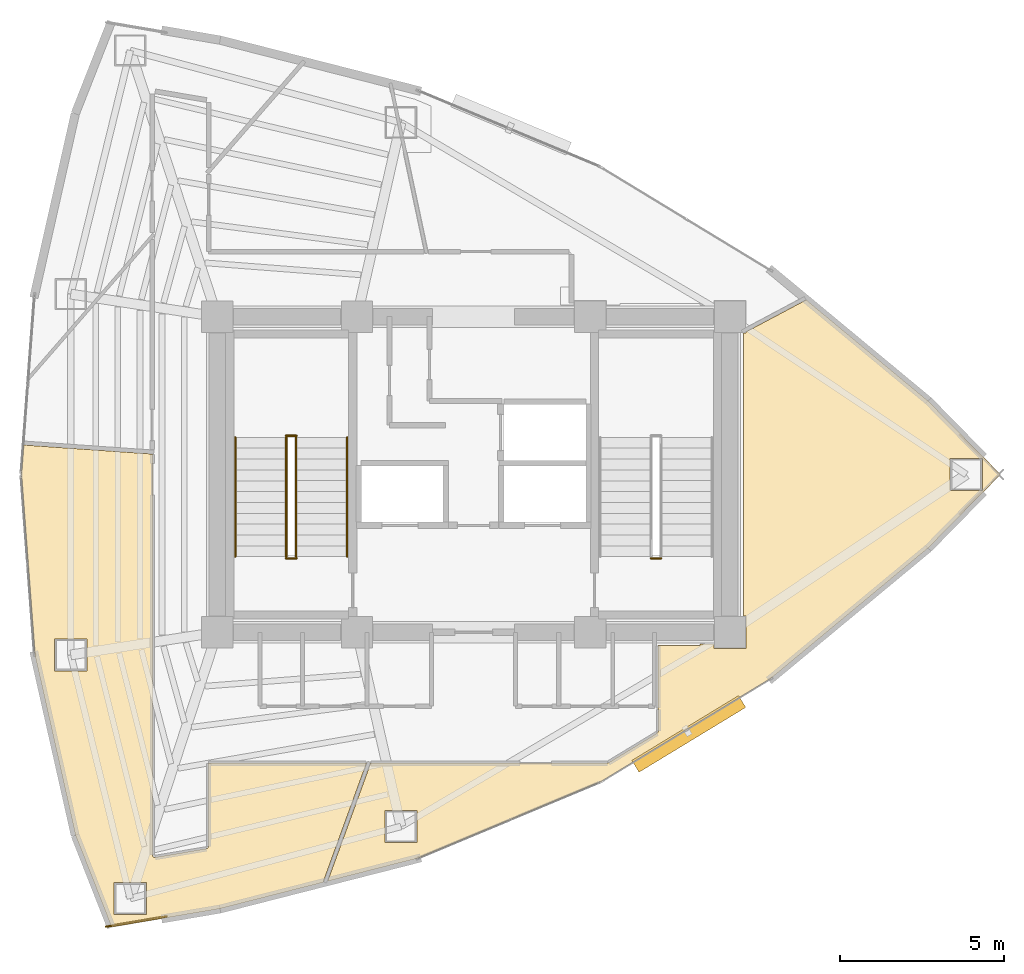
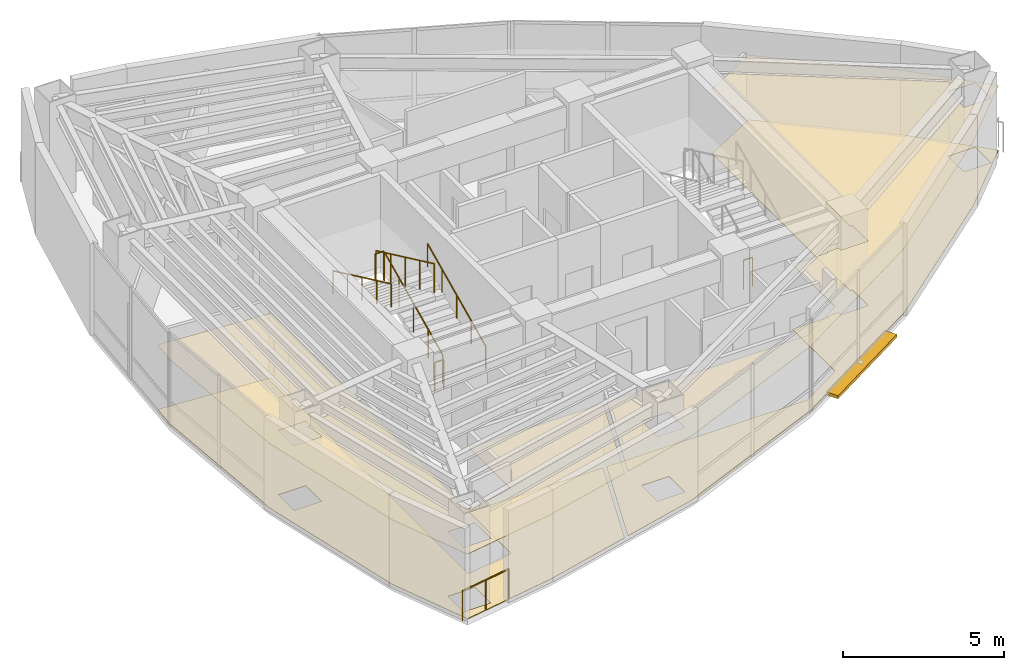
# One storey, part 14 of 15: 8 railings, 4 coverings, 1 shading device.
"""IFC4 building model written with IfcOpenShell, lengths in metres."""

from ifc_helpers import new_model, si_unit, direction, frame, origin, origin_2d, place, context, subcontext, project, spatial, polyline, rectangle, circle, outline, extrude, material, layer, layer_set, type_object, element, save


model = new_model("IFC4")

# Units and contexts
model_context = context("Model", 3, precision=1e-05, world=origin(), true_north=direction((0.0, 1.0)))
body_context = subcontext(model_context, "Body", "Model", "MODEL_VIEW")
ifc_project = project(units=[si_unit("LENGTHUNIT", "METRE"), si_unit("AREAUNIT", "SQUARE_METRE"), si_unit("VOLUMEUNIT", "CUBIC_METRE"), si_unit("PLANEANGLEUNIT", "RADIAN"), si_unit("MASSUNIT", "GRAM", prefix="KILO")], contexts=[model_context])

# Site, building, storey
site_placement = place(None, origin())
site = spatial("IfcSite", under=ifc_project, at=site_placement, CompositionType="ELEMENT")
building_placement = place(site_placement, origin())
building = spatial("IfcBuilding", under=site, at=building_placement, Name="Menara Vayukalpa", CompositionType="ELEMENT")
storey_placement = place(building_placement, frame((0.0, 0.0, 223.260009765625)))
storey = spatial("IfcBuildingStorey", under=building, at=storey_placement, Name="L56", CompositionType="ELEMENT", Elevation=223.260009765625)

# Coverings
ifc_material_1 = material(Name="Mineral Fibre Acoustic Ceiling Tile", Category="masonry")
ifc_layer_1 = layer(ifc_material_1, 0.02490234375)
ifc_layer_set_1 = layer_set([ifc_layer_1], Name="Mineral Fibre Acoustic Ceiling Tile")
covering_type_1 = type_object("IfcCoveringType", Name="COV-CLG1", PredefinedType="CEILING", material=ifc_layer_set_1)
covering_1_placement = place(storey_placement, frame((0.0, 0.0, 2.449951171875)))
element("IfcCovering", 1, at=covering_1_placement, inside=storey, type_object=covering_type_1, Name="L56 Executive Boardroom Acoustic Ceiling", PredefinedType="CEILING", context=body_context, shape_type="SweptSolid", body=[
    extrude(outline(polyline([(14.59326171875, 8.231201171875), (14.59228515625, 8.231201171875), (14.59130859375, 8.2314453125), (14.59033203125, 8.2314453125), (14.58935546875, 8.231689453125), (14.58837890625, 8.232177734375), (14.587646484375, 8.232666015625), (14.5869140625, 8.233154296875), (14.5859375, 8.233642578125), (14.585205078125, 8.234375), (14.584716796875, 8.235107421875), (14.583984375, 8.23583984375), (14.58349609375, 8.23681640625), (14.583251953125, 8.237548828125), (13.489013671875, 11.023681640625), (13.48876953125, 11.0244140625), (13.488525390625, 11.025146484375), (12.25390625, 16.51171875), (12.25390625, 16.51318359375), (11.84228515625, 21.999267578125), (11.84228515625, 22.0), (11.84228515625, 22.000732421875), (11.90869140625, 22.88720703125), (11.908935546875, 22.88818359375), (11.9091796875, 22.88916015625), (11.909423828125, 22.89013671875), (11.909912109375, 22.89111328125), (11.910400390625, 22.891845703125), (11.910888671875, 22.892578125), (11.91162109375, 22.893310546875), (11.912353515625, 22.89404296875), (11.9130859375, 22.894775390625), (11.913818359375, 22.895263671875), (11.914794921875, 22.8955078125), (11.91552734375, 22.89599609375), (11.91650390625, 22.896240234375), (11.91748046875, 22.896484375), (11.91845703125, 22.896484375), (11.91943359375, 22.896484375), (15.82080078125, 22.623779296875), (15.82177734375, 22.62353515625), (15.82275390625, 22.623291015625), (15.823486328125, 22.623046875), (15.824462890625, 22.62255859375), (15.825439453125, 22.6220703125), (15.826171875, 22.62158203125), (15.826904296875, 22.620849609375), (15.82763671875, 22.6201171875), (15.828369140625, 22.619384765625), (15.828857421875, 22.618408203125), (15.8291015625, 22.61767578125), (15.82958984375, 22.61669921875), (15.829833984375, 22.61572265625), (15.829833984375, 22.61474609375), (15.830078125, 22.61376953125), (15.830078125, 10.421142578125), (15.830322265625, 10.414306640625), (15.831298828125, 10.407470703125), (15.8330078125, 10.40087890625), (15.835205078125, 10.39453125), (15.837890625, 10.388427734375), (15.841552734375, 10.382568359375), (15.845458984375, 10.376953125), (15.849853515625, 10.3720703125), (15.854736328125, 10.367431640625), (15.860107421875, 10.36328125), (15.865966796875, 10.35986328125), (15.8720703125, 10.356689453125), (15.87841796875, 10.354248046875), (15.884765625, 10.3525390625), (15.8916015625, 10.351318359375), (15.898193359375, 10.350830078125), (15.905029296875, 10.35107421875), (15.912109375, 10.351806640625), (17.471435546875, 10.61669921875), (17.478515625, 10.6181640625), (17.485107421875, 10.62060546875), (17.49169921875, 10.623291015625), (17.497802734375, 10.626708984375), (17.50341796875, 10.630859375), (17.508544921875, 10.635498046875), (17.513427734375, 10.640625), (17.517822265625, 10.646240234375), (17.521484375, 10.652099609375), (17.5244140625, 10.658447265625), (17.52685546875, 10.664794921875), (17.528564453125, 10.671875), (17.529541015625, 10.6787109375), (17.530029296875, 10.685791015625), (17.530029296875, 13.2099609375), (17.530029296875, 13.2109375), (17.5302734375, 13.2119140625), (17.530517578125, 13.212890625), (17.53076171875, 13.2138671875), (17.53125, 13.214599609375), (17.53173828125, 13.215576171875), (17.5322265625, 13.21630859375), (17.532958984375, 13.217041015625), (17.53369140625, 13.2177734375), (17.534423828125, 13.21826171875), (17.535400390625, 13.21875), (17.5361328125, 13.21923828125), (17.537109375, 13.219482421875), (17.5380859375, 13.2197265625), (17.5390625, 13.219970703125), (17.5400390625, 13.219970703125), (22.326171875, 13.219970703125), (22.3271484375, 13.219970703125), (22.328125, 13.2197265625), (22.3291015625, 13.219482421875), (22.329833984375, 13.21923828125), (22.330810546875, 13.218994140625), (22.33154296875, 13.218505859375), (22.33251953125, 13.2177734375), (22.3330078125, 13.21728515625), (22.333740234375, 13.216552734375), (22.33447265625, 13.2158203125), (22.3349609375, 13.21484375), (22.335205078125, 13.214111328125), (22.335693359375, 13.213134765625), (22.3359375, 13.212158203125), (22.336181640625, 13.211181640625), (22.336181640625, 13.210205078125), (22.336181640625, 13.20947265625), (22.336181640625, 13.20849609375), (22.3359375, 13.20751953125), (22.335693359375, 13.20654296875), (21.025146484375, 9.60595703125), (21.023193359375, 9.60009765625), (21.0224609375, 9.5966796875), (21.022216796875, 9.595703125), (21.02197265625, 9.5947265625), (21.021484375, 9.59375), (21.02099609375, 9.593017578125), (21.020263671875, 9.592041015625), (21.01953125, 9.59130859375), (21.018798828125, 9.5908203125), (21.01806640625, 9.590087890625), (21.01708984375, 9.589599609375), (21.01611328125, 9.589111328125), (21.01513671875, 9.5888671875), (17.8798828125, 8.789306640625), (17.879150390625, 8.7890625), (14.59423828125, 8.2314453125), (14.59326171875, 8.231201171875)]), holes=[polyline([(14.664794921875, 9.58740234375), (14.664794921875, 8.607421875), (15.644775390625, 8.607421875), (15.644775390625, 9.58740234375), (14.664794921875, 9.58740234375)]), polyline([(13.833984375, 17.000732421875), (12.85400390625, 17.000732421875), (12.85400390625, 16.020751953125), (13.833984375, 16.020751953125), (13.833984375, 17.000732421875)])]), origin(), (0.0, 0.0, 1.0), 0.025146484375),
])
covering_2_placement = place(storey_placement, frame((0.0, 0.0, 2.449951171875)))
element("IfcCovering", 2, at=covering_2_placement, inside=storey, type_object=covering_type_1, Name="L56 Executive Boardroom Acoustic Ceiling", PredefinedType="CEILING", context=body_context, shape_type="SweptSolid", body=[
    extrude(outline(polyline([(33.81005859375, 26.29150390625), (33.81005859375, 26.29248046875), (33.810302734375, 26.29345703125), (33.810302734375, 26.294189453125), (33.810791015625, 26.295166015625), (33.811279296875, 26.296142578125), (33.811767578125, 26.297119140625), (33.812255859375, 26.2978515625), (33.81298828125, 26.298583984375), (33.813720703125, 26.299072265625), (33.814453125, 26.2998046875), (33.815185546875, 26.30029296875), (33.833740234375, 26.31005859375), (33.889892578125, 26.31005859375), (33.889892578125, 26.33984375), (35.71435546875, 27.309814453125), (35.71533203125, 27.310302734375), (35.71630859375, 27.310791015625), (35.71728515625, 27.310791015625), (35.71826171875, 27.31103515625), (35.718994140625, 27.31103515625), (35.72021484375, 27.31103515625), (35.72119140625, 27.310791015625), (35.721923828125, 27.310791015625), (35.722900390625, 27.310302734375), (35.723876953125, 27.309814453125), (35.724609375, 27.309326171875), (35.7255859375, 27.308837890625), (39.431884765625, 24.235107421875), (39.4326171875, 24.234375), (41.61962890625, 22.007080078125), (41.620361328125, 22.00634765625), (41.620849609375, 22.005615234375), (41.621337890625, 22.004638671875), (41.621826171875, 22.00390625), (41.6220703125, 22.0029296875), (41.622314453125, 22.001953125), (41.62255859375, 22.0009765625), (41.62255859375, 22.0), (41.62255859375, 21.9990234375), (41.622314453125, 21.998046875), (41.6220703125, 21.9970703125), (41.621826171875, 21.99609375), (41.621337890625, 21.995361328125), (41.620849609375, 21.994384765625), (41.620361328125, 21.99365234375), (41.61962890625, 21.992919921875), (39.4326171875, 19.765625), (39.431884765625, 19.764892578125), (34.662109375, 15.809326171875), (34.660888671875, 15.80859375), (29.47998046875, 12.661376953125), (29.479248046875, 12.660888671875), (29.478515625, 12.66064453125), (23.885986328125, 10.3212890625), (23.884765625, 10.32080078125), (21.178466796875, 9.630615234375), (21.177490234375, 9.63037109375), (21.176513671875, 9.630126953125), (21.17529296875, 9.630126953125), (21.174560546875, 9.63037109375), (21.173583984375, 9.630615234375), (21.172607421875, 9.630859375), (21.171630859375, 9.631103515625), (21.1708984375, 9.631591796875), (21.169921875, 9.632080078125), (21.169189453125, 9.6328125), (21.16845703125, 9.633544921875), (21.16796875, 9.63427734375), (21.167236328125, 9.635009765625), (21.1669921875, 9.635986328125), (21.16650390625, 9.636962890625), (21.166259765625, 9.6376953125), (21.166015625, 9.638916015625), (21.166015625, 9.6396484375), (21.166015625, 9.640625), (21.166015625, 9.6416015625), (21.166259765625, 9.642578125), (21.16650390625, 9.6435546875), (22.4658203125, 13.21337890625), (22.46630859375, 13.21435546875), (22.466796875, 13.215087890625), (22.46728515625, 13.216064453125), (22.468017578125, 13.216796875), (22.46875, 13.217529296875), (22.469482421875, 13.21826171875), (22.47021484375, 13.21875), (22.47119140625, 13.21923828125), (22.47216796875, 13.219482421875), (22.47314453125, 13.2197265625), (22.47412109375, 13.219970703125), (22.47509765625, 13.219970703125), (29.667236328125, 13.219970703125), (29.673828125, 13.22021484375), (29.68017578125, 13.22119140625), (29.686279296875, 13.22265625), (29.6923828125, 13.224609375), (29.6982421875, 13.22705078125), (29.7041015625, 13.230224609375), (31.18603515625, 14.130615234375), (31.1923828125, 14.134765625), (31.19775390625, 14.139404296875), (31.20263671875, 14.14453125), (31.20703125, 14.150146484375), (31.2109375, 14.15625), (31.214111328125, 14.16259765625), (31.216552734375, 14.16943359375), (31.218505859375, 14.176513671875), (31.219482421875, 14.183349609375), (31.219970703125, 14.19091796875), (31.219970703125, 14.849609375), (31.219482421875, 14.856689453125), (31.21875, 14.86376953125), (31.217041015625, 14.870361328125), (31.214599609375, 14.876708984375), (31.2119140625, 14.8828125), (31.211669921875, 14.883056640625), (31.211181640625, 14.8837890625), (31.210693359375, 14.884765625), (31.21044921875, 14.8857421875), (31.210205078125, 14.88671875), (31.2099609375, 14.8876953125), (31.2099609375, 14.888671875), (31.2099609375, 16.780029296875), (31.2099609375, 16.781005859375), (31.210205078125, 16.781982421875), (31.21044921875, 16.782958984375), (31.210693359375, 16.78369140625), (31.211181640625, 16.78466796875), (31.211669921875, 16.78564453125), (31.21240234375, 16.786376953125), (31.212890625, 16.787109375), (31.213623046875, 16.78759765625), (31.21435546875, 16.788330078125), (31.21533203125, 16.788818359375), (31.21630859375, 16.789306640625), (31.217041015625, 16.78955078125), (31.218017578125, 16.789794921875), (31.218994140625, 16.7900390625), (31.219970703125, 16.7900390625), (32.489990234375, 16.7900390625), (32.489990234375, 16.85009765625), (32.909912109375, 16.85009765625), (32.909912109375, 16.7099609375), (33.889892578125, 16.7099609375), (33.889892578125, 17.68994140625), (33.81005859375, 17.68994140625), (33.81005859375, 26.29150390625)]), holes=[polyline([(23.87939453125, 11.781494140625), (22.8994140625, 11.781494140625), (22.8994140625, 10.801513671875), (23.87939453125, 10.801513671875), (23.87939453125, 11.781494140625)]), polyline([(41.08056640625, 22.489990234375), (40.1005859375, 22.489990234375), (40.1005859375, 21.510009765625), (41.08056640625, 21.510009765625), (41.08056640625, 22.489990234375)])]), origin(), (0.0, 0.0, 1.0), 0.025146484375),
])
ifc_material_2 = material(Name="Porcelain Stoneware Floor Tile", Category="masonry")
ifc_layer_2 = layer(ifc_material_2, 0.02001953125)
ifc_layer_set_2 = layer_set([ifc_layer_2], Name="Porcelain Stoneware Floor Tile")
covering_type_2 = type_object("IfcCoveringType", Name="COV-FLR1", PredefinedType="FLOORING", material=ifc_layer_set_2)
covering_3_placement = place(storey_placement, origin())
element("IfcCovering", 3, at=covering_3_placement, inside=storey, type_object=covering_type_2, Name="L56 Executive Boardroom Porcelain Flooring", PredefinedType="FLOORING", context=body_context, shape_type="SweptSolid", body=[
    extrude(outline(polyline([(14.59326171875, 8.231201171875), (14.59228515625, 8.231201171875), (14.59130859375, 8.2314453125), (14.59033203125, 8.2314453125), (14.58935546875, 8.231689453125), (14.58837890625, 8.232177734375), (14.587646484375, 8.232666015625), (14.5869140625, 8.233154296875), (14.5859375, 8.233642578125), (14.585205078125, 8.234375), (14.584716796875, 8.235107421875), (14.583984375, 8.23583984375), (14.58349609375, 8.23681640625), (14.583251953125, 8.237548828125), (13.489013671875, 11.023681640625), (13.48876953125, 11.0244140625), (13.488525390625, 11.025146484375), (12.25390625, 16.51171875), (12.25390625, 16.51318359375), (11.84228515625, 21.999267578125), (11.84228515625, 22.0), (11.84228515625, 22.000732421875), (11.90869140625, 22.88720703125), (11.908935546875, 22.88818359375), (11.9091796875, 22.88916015625), (11.909423828125, 22.89013671875), (11.909912109375, 22.89111328125), (11.910400390625, 22.891845703125), (11.910888671875, 22.892578125), (11.91162109375, 22.893310546875), (11.912353515625, 22.89404296875), (11.9130859375, 22.894775390625), (11.913818359375, 22.895263671875), (11.914794921875, 22.8955078125), (11.91552734375, 22.89599609375), (11.91650390625, 22.896240234375), (11.91748046875, 22.896484375), (11.91845703125, 22.896484375), (11.91943359375, 22.896484375), (15.82080078125, 22.623779296875), (15.82177734375, 22.62353515625), (15.82275390625, 22.623291015625), (15.823486328125, 22.623046875), (15.824462890625, 22.62255859375), (15.825439453125, 22.6220703125), (15.826171875, 22.62158203125), (15.826904296875, 22.620849609375), (15.82763671875, 22.6201171875), (15.828369140625, 22.619384765625), (15.828857421875, 22.618408203125), (15.8291015625, 22.61767578125), (15.82958984375, 22.61669921875), (15.829833984375, 22.61572265625), (15.829833984375, 22.61474609375), (15.830078125, 22.61376953125), (15.830078125, 10.421142578125), (15.830322265625, 10.414306640625), (15.831298828125, 10.407470703125), (15.8330078125, 10.40087890625), (15.835205078125, 10.39453125), (15.837890625, 10.388427734375), (15.841552734375, 10.382568359375), (15.845458984375, 10.376953125), (15.849853515625, 10.3720703125), (15.854736328125, 10.367431640625), (15.860107421875, 10.36328125), (15.865966796875, 10.35986328125), (15.8720703125, 10.356689453125), (15.87841796875, 10.354248046875), (15.884765625, 10.3525390625), (15.8916015625, 10.351318359375), (15.898193359375, 10.350830078125), (15.905029296875, 10.35107421875), (15.912109375, 10.351806640625), (17.471435546875, 10.61669921875), (17.478515625, 10.6181640625), (17.485107421875, 10.62060546875), (17.49169921875, 10.623291015625), (17.497802734375, 10.626708984375), (17.50341796875, 10.630859375), (17.508544921875, 10.635498046875), (17.513427734375, 10.640625), (17.517822265625, 10.646240234375), (17.521484375, 10.652099609375), (17.5244140625, 10.658447265625), (17.52685546875, 10.664794921875), (17.528564453125, 10.671875), (17.529541015625, 10.6787109375), (17.530029296875, 10.685791015625), (17.530029296875, 13.2099609375), (17.530029296875, 13.2109375), (17.5302734375, 13.2119140625), (17.530517578125, 13.212890625), (17.53076171875, 13.2138671875), (17.53125, 13.214599609375), (17.53173828125, 13.215576171875), (17.5322265625, 13.21630859375), (17.532958984375, 13.217041015625), (17.53369140625, 13.2177734375), (17.534423828125, 13.21826171875), (17.535400390625, 13.21875), (17.5361328125, 13.21923828125), (17.537109375, 13.219482421875), (17.5380859375, 13.2197265625), (17.5390625, 13.219970703125), (17.5400390625, 13.219970703125), (22.326171875, 13.219970703125), (22.3271484375, 13.219970703125), (22.328125, 13.2197265625), (22.3291015625, 13.219482421875), (22.329833984375, 13.21923828125), (22.330810546875, 13.218994140625), (22.33154296875, 13.218505859375), (22.33251953125, 13.2177734375), (22.3330078125, 13.21728515625), (22.333740234375, 13.216552734375), (22.33447265625, 13.2158203125), (22.3349609375, 13.21484375), (22.335205078125, 13.214111328125), (22.335693359375, 13.213134765625), (22.3359375, 13.212158203125), (22.336181640625, 13.211181640625), (22.336181640625, 13.210205078125), (22.336181640625, 13.20947265625), (22.336181640625, 13.20849609375), (22.3359375, 13.20751953125), (22.335693359375, 13.20654296875), (21.025146484375, 9.60595703125), (21.023193359375, 9.60009765625), (21.0224609375, 9.5966796875), (21.022216796875, 9.595703125), (21.02197265625, 9.5947265625), (21.021484375, 9.59375), (21.02099609375, 9.593017578125), (21.020263671875, 9.592041015625), (21.01953125, 9.59130859375), (21.018798828125, 9.5908203125), (21.01806640625, 9.590087890625), (21.01708984375, 9.589599609375), (21.01611328125, 9.589111328125), (21.01513671875, 9.5888671875), (17.8798828125, 8.789306640625), (17.879150390625, 8.7890625), (14.59423828125, 8.2314453125), (14.59326171875, 8.231201171875)]), holes=[polyline([(14.664794921875, 9.58740234375), (14.664794921875, 8.607421875), (15.644775390625, 8.607421875), (15.644775390625, 9.58740234375), (14.664794921875, 9.58740234375)]), polyline([(13.833984375, 17.000732421875), (12.85400390625, 17.000732421875), (12.85400390625, 16.020751953125), (13.833984375, 16.020751953125), (13.833984375, 17.000732421875)])]), origin(), (0.0, 0.0, 1.0), 0.02001953125),
])
covering_4_placement = place(storey_placement, origin())
element("IfcCovering", 4, at=covering_4_placement, inside=storey, type_object=covering_type_2, Name="L56 Executive Boardroom Porcelain Flooring", PredefinedType="FLOORING", context=body_context, shape_type="SweptSolid", body=[
    extrude(outline(polyline([(33.81005859375, 26.29150390625), (33.81005859375, 26.29248046875), (33.810302734375, 26.29345703125), (33.810302734375, 26.294189453125), (33.810791015625, 26.295166015625), (33.811279296875, 26.296142578125), (33.811767578125, 26.297119140625), (33.812255859375, 26.2978515625), (33.81298828125, 26.298583984375), (33.813720703125, 26.299072265625), (33.814453125, 26.2998046875), (33.815185546875, 26.30029296875), (33.833740234375, 26.31005859375), (33.889892578125, 26.31005859375), (33.889892578125, 26.33984375), (35.71435546875, 27.309814453125), (35.71533203125, 27.310302734375), (35.71630859375, 27.310791015625), (35.71728515625, 27.310791015625), (35.71826171875, 27.31103515625), (35.718994140625, 27.31103515625), (35.72021484375, 27.31103515625), (35.72119140625, 27.310791015625), (35.721923828125, 27.310791015625), (35.722900390625, 27.310302734375), (35.723876953125, 27.309814453125), (35.724609375, 27.309326171875), (35.7255859375, 27.308837890625), (39.431884765625, 24.235107421875), (39.4326171875, 24.234375), (41.61962890625, 22.007080078125), (41.620361328125, 22.00634765625), (41.620849609375, 22.005615234375), (41.621337890625, 22.004638671875), (41.621826171875, 22.00390625), (41.6220703125, 22.0029296875), (41.622314453125, 22.001953125), (41.62255859375, 22.0009765625), (41.62255859375, 22.0), (41.62255859375, 21.9990234375), (41.622314453125, 21.998046875), (41.6220703125, 21.9970703125), (41.621826171875, 21.99609375), (41.621337890625, 21.995361328125), (41.620849609375, 21.994384765625), (41.620361328125, 21.99365234375), (41.61962890625, 21.992919921875), (39.4326171875, 19.765625), (39.431884765625, 19.764892578125), (34.662109375, 15.809326171875), (34.660888671875, 15.80859375), (29.47998046875, 12.661376953125), (29.479248046875, 12.660888671875), (29.478515625, 12.66064453125), (23.885986328125, 10.3212890625), (23.884765625, 10.32080078125), (21.178466796875, 9.630615234375), (21.177490234375, 9.63037109375), (21.176513671875, 9.630126953125), (21.17529296875, 9.630126953125), (21.174560546875, 9.63037109375), (21.173583984375, 9.630615234375), (21.172607421875, 9.630859375), (21.171630859375, 9.631103515625), (21.1708984375, 9.631591796875), (21.169921875, 9.632080078125), (21.169189453125, 9.6328125), (21.16845703125, 9.633544921875), (21.16796875, 9.63427734375), (21.167236328125, 9.635009765625), (21.1669921875, 9.635986328125), (21.16650390625, 9.636962890625), (21.166259765625, 9.6376953125), (21.166015625, 9.638916015625), (21.166015625, 9.6396484375), (21.166015625, 9.640625), (21.166015625, 9.6416015625), (21.166259765625, 9.642578125), (21.16650390625, 9.6435546875), (22.4658203125, 13.21337890625), (22.46630859375, 13.21435546875), (22.466796875, 13.215087890625), (22.46728515625, 13.216064453125), (22.468017578125, 13.216796875), (22.46875, 13.217529296875), (22.469482421875, 13.21826171875), (22.47021484375, 13.21875), (22.47119140625, 13.21923828125), (22.47216796875, 13.219482421875), (22.47314453125, 13.2197265625), (22.47412109375, 13.219970703125), (22.47509765625, 13.219970703125), (29.667236328125, 13.219970703125), (29.673828125, 13.22021484375), (29.68017578125, 13.22119140625), (29.686279296875, 13.22265625), (29.6923828125, 13.224609375), (29.6982421875, 13.22705078125), (29.7041015625, 13.230224609375), (31.18603515625, 14.130615234375), (31.1923828125, 14.134765625), (31.19775390625, 14.139404296875), (31.20263671875, 14.14453125), (31.20703125, 14.150146484375), (31.2109375, 14.15625), (31.214111328125, 14.16259765625), (31.216552734375, 14.16943359375), (31.218505859375, 14.176513671875), (31.219482421875, 14.183349609375), (31.219970703125, 14.19091796875), (31.219970703125, 14.849609375), (31.219482421875, 14.856689453125), (31.21875, 14.86376953125), (31.217041015625, 14.870361328125), (31.214599609375, 14.876708984375), (31.2119140625, 14.8828125), (31.211669921875, 14.883056640625), (31.211181640625, 14.8837890625), (31.210693359375, 14.884765625), (31.21044921875, 14.8857421875), (31.210205078125, 14.88671875), (31.2099609375, 14.8876953125), (31.2099609375, 14.888671875), (31.2099609375, 16.780029296875), (31.2099609375, 16.781005859375), (31.210205078125, 16.781982421875), (31.21044921875, 16.782958984375), (31.210693359375, 16.78369140625), (31.211181640625, 16.78466796875), (31.211669921875, 16.78564453125), (31.21240234375, 16.786376953125), (31.212890625, 16.787109375), (31.213623046875, 16.78759765625), (31.21435546875, 16.788330078125), (31.21533203125, 16.788818359375), (31.21630859375, 16.789306640625), (31.217041015625, 16.78955078125), (31.218017578125, 16.789794921875), (31.218994140625, 16.7900390625), (31.219970703125, 16.7900390625), (32.489990234375, 16.7900390625), (32.489990234375, 16.85009765625), (32.909912109375, 16.85009765625), (32.909912109375, 16.7099609375), (33.889892578125, 16.7099609375), (33.889892578125, 17.68994140625), (33.81005859375, 17.68994140625), (33.81005859375, 26.29150390625)]), holes=[polyline([(23.87939453125, 11.781494140625), (22.8994140625, 11.781494140625), (22.8994140625, 10.801513671875), (23.87939453125, 10.801513671875), (23.87939453125, 11.781494140625)]), polyline([(41.08056640625, 22.489990234375), (40.1005859375, 22.489990234375), (40.1005859375, 21.510009765625), (41.08056640625, 21.510009765625), (41.08056640625, 22.489990234375)])]), origin(), (0.0, 0.0, 1.0), 0.02001953125),
])

# Railings
ifc_material_3 = material(Name="Laminated Glass and Stainless Steel 316 Guardrail", Category="steel")
railing_type_1 = type_object("IfcRailingType", Name="RLG-EXT115", PredefinedType="GUARDRAIL", material=ifc_material_3)
railing_1_placement = place(storey_placement, frame((14.413818359375, 8.241455078125, 0.0)))
element("IfcRailing", 5, at=railing_1_placement, inside=storey, type_object=railing_type_1, Name="L56 Column Corner Spandrel Guardrail 14-1", PredefinedType="GUARDRAIL", context=body_context, shape_type="SweptSolid", body=[
    extrude(circle(Radius=0.02392578125, at=origin_2d()), frame((0.0, 0.0, 1.1259765625), z_axis=(0.985895107684, 0.167364382844, 0.0), x_axis=(-0.167364382844, 0.985895107684, 0.0)), (0.0, 0.0, 1.0), 1.86865234375),
    extrude(circle(Radius=0.02099609375, at=origin_2d()), origin(), (0.0, 0.0, 1.0), 1.101806640625),
    extrude(circle(Radius=0.02099609375, at=origin_2d()), frame((0.921142578125, 0.15625, 0.0)), (0.0, 0.0, 1.0), 1.101806640625),
    extrude(circle(Radius=0.02099609375, at=origin_2d()), frame((1.84228515625, 0.312744140625, 0.0)), (0.0, 0.0, 1.0), 1.101806640625),
])
ifc_material_4 = material(Name="Powder-Coated Galvanised Steel Guardrail", Category="steel")
railing_type_2 = type_object("IfcRailingType", Name="RLG-STG110", PredefinedType="GUARDRAIL", material=ifc_material_4)
railing_2_placement = place(storey_placement, frame((20.199951171875, 19.5, 0.155029296875)))
element("IfcRailing", 6, at=railing_2_placement, inside=storey, type_object=railing_type_2, Name="L56 ST-1 stair guard 1", PredefinedType="GUARDRAIL", context=body_context, shape_type="SweptSolid", body=[
    extrude(circle(Radius=0.02392578125, at=origin_2d()), frame((0.0, 0.0, 1.09619140625), z_axis=(0.0, 0.90511648382, 0.425163675209), x_axis=(-1.0, 0.0, 0.0)), (0.0, 0.0, 1.0), 4.010498046875),
    extrude(circle(Radius=0.02099609375, at=origin_2d()), origin(), (0.0, 0.0, 1.0), 1.072021484375),
    extrude(circle(Radius=0.02099609375, at=origin_2d()), frame((0.0, 0.907470703125, 0.42626953125)), (0.0, 0.0, 1.0), 1.072021484375),
    extrude(circle(Radius=0.02099609375, at=origin_2d()), frame((0.0, 1.81494140625, 0.8525390625)), (0.0, 0.0, 1.0), 1.072021484375),
    extrude(circle(Radius=0.02099609375, at=origin_2d()), frame((0.0, 2.722412109375, 1.27880859375)), (0.0, 0.0, 1.0), 1.072021484375),
    extrude(circle(Radius=0.02099609375, at=origin_2d()), frame((0.0, 3.6298828125, 1.705078125)), (0.0, 0.0, 1.0), 1.072021484375),
])
railing_3_placement = place(storey_placement, frame((20.2099609375, 23.179931640625, 1.860107421875)))
element("IfcRailing", 7, at=railing_3_placement, inside=storey, type_object=railing_type_2, Name="L56 ST-1 stair guard 2", PredefinedType="GUARDRAIL", context=body_context, shape_type="SweptSolid", body=[
    extrude(circle(Radius=0.02392578125, at=origin_2d()), frame((0.0, 0.0, 1.09619140625), z_axis=(-1.0, 0.0, 0.0), x_axis=(0.0, -1.0, 0.0)), (0.0, 0.0, 1.0), 0.320068359375),
    extrude(circle(Radius=0.02099609375, at=origin_2d()), origin(), (0.0, 0.0, 1.0), 1.072021484375),
    extrude(circle(Radius=0.02099609375, at=origin_2d()), frame((-0.320068359375, 0.0, 0.0)), (0.0, 0.0, 1.0), 1.072021484375),
])
railing_4_placement = place(storey_placement, frame((19.89990234375, 23.1298828125, 2.014892578125)))
element("IfcRailing", 8, at=railing_4_placement, inside=storey, type_object=railing_type_2, Name="L56 ST-1 stair guard 3", PredefinedType="GUARDRAIL", context=body_context, shape_type="SweptSolid", body=[
    extrude(circle(Radius=0.02392578125, at=origin_2d()), frame((0.0, 0.0, 1.09619140625), z_axis=(0.0, -0.90511648382, 0.425163675209), x_axis=(1.0, 0.0, 0.0)), (0.0, 0.0, 1.0), 4.010498046875),
    extrude(circle(Radius=0.02099609375, at=origin_2d()), origin(), (0.0, 0.0, 1.0), 1.072021484375),
    extrude(circle(Radius=0.02099609375, at=origin_2d()), frame((0.0, -0.907470703125, 0.42626953125)), (0.0, 0.0, 1.0), 1.072021484375),
    extrude(circle(Radius=0.02099609375, at=origin_2d()), frame((0.0, -1.81494140625, 0.8525390625)), (0.0, 0.0, 1.0), 1.072021484375),
    extrude(circle(Radius=0.02099609375, at=origin_2d()), frame((0.0, -2.722412109375, 1.27880859375)), (0.0, 0.0, 1.0), 1.072021484375),
    extrude(circle(Radius=0.02099609375, at=origin_2d()), frame((0.0, -3.6298828125, 1.705078125)), (0.0, 0.0, 1.0), 1.072021484375),
])
for number, where, name in (
    (9, (20.2099609375, 19.449951171875, 0.0), "L56 ST-1 stair guard 4"),
    (10, (31.31005859375, 19.449951171875, 0.0), "L56 ST-2 stair guard 4"),
):
    element("IfcRailing", number, at=place(storey_placement, frame(where)), inside=storey, type_object=railing_type_2, Name=name, PredefinedType="GUARDRAIL", context=body_context, shape_type="SweptSolid", body=[
        extrude(circle(Radius=0.02392578125, at=origin_2d()), frame((0.0, 0.0, 1.09619140625), z_axis=(-1.0, 0.0, 0.0), x_axis=(0.0, -1.0, 0.0)), (0.0, 0.0, 1.0), 0.320068359375),
        extrude(circle(Radius=0.02099609375, at=origin_2d()), origin(), (0.0, 0.0, 1.0), 1.072021484375),
        extrude(circle(Radius=0.02099609375, at=origin_2d()), frame((-0.320068359375, 0.0, 0.0)), (0.0, 0.0, 1.0), 1.072021484375),
    ])
ifc_material_5 = material(Name="Stainless Steel 316 Tubular Handrail", Category="steel")
railing_type_3 = type_object("IfcRailingType", Name="RLG-STH090", PredefinedType="HANDRAIL", material=ifc_material_5)
railing_5_placement = place(storey_placement, frame((21.75, 19.5, 0.155029296875)))
element("IfcRailing", 11, at=railing_5_placement, inside=storey, type_object=railing_type_3, Name="L56 ST-1 stair handrail 1", PredefinedType="HANDRAIL", context=body_context, shape_type="SweptSolid", body=[
    extrude(circle(Radius=0.02392578125, at=origin_2d()), frame((0.0, 0.0, 0.8759765625), z_axis=(0.0, 0.90511648382, 0.425163675209), x_axis=(-1.0, 0.0, 0.0)), (0.0, 0.0, 1.0), 4.010498046875),
    extrude(circle(Radius=0.02099609375, at=origin_2d()), origin(), (0.0, 0.0, 1.0), 0.851806640625),
    extrude(circle(Radius=0.02099609375, at=origin_2d()), frame((0.0, 0.907470703125, 0.42626953125)), (0.0, 0.0, 1.0), 0.851806640625),
    extrude(circle(Radius=0.02099609375, at=origin_2d()), frame((0.0, 1.81494140625, 0.8525390625)), (0.0, 0.0, 1.0), 0.851806640625),
    extrude(circle(Radius=0.02099609375, at=origin_2d()), frame((0.0, 2.722412109375, 1.27880859375)), (0.0, 0.0, 1.0), 0.851806640625),
    extrude(circle(Radius=0.02099609375, at=origin_2d()), frame((0.0, 3.6298828125, 1.705078125)), (0.0, 0.0, 1.0), 0.851806640625),
])
railing_6_placement = place(storey_placement, frame((18.35009765625, 23.1298828125, 2.014892578125)))
element("IfcRailing", 12, at=railing_6_placement, inside=storey, type_object=railing_type_3, Name="L56 ST-1 stair handrail 2", PredefinedType="HANDRAIL", context=body_context, shape_type="SweptSolid", body=[
    extrude(circle(Radius=0.02392578125, at=origin_2d()), frame((0.0, 0.0, 0.8759765625), z_axis=(0.0, -0.90511648382, 0.425163675209), x_axis=(1.0, 0.0, 0.0)), (0.0, 0.0, 1.0), 4.010498046875),
    extrude(circle(Radius=0.02099609375, at=origin_2d()), origin(), (0.0, 0.0, 1.0), 0.851806640625),
    extrude(circle(Radius=0.02099609375, at=origin_2d()), frame((0.0, -0.907470703125, 0.42626953125)), (0.0, 0.0, 1.0), 0.851806640625),
    extrude(circle(Radius=0.02099609375, at=origin_2d()), frame((0.0, -1.81494140625, 0.8525390625)), (0.0, 0.0, 1.0), 0.851806640625),
    extrude(circle(Radius=0.02099609375, at=origin_2d()), frame((0.0, -2.722412109375, 1.27880859375)), (0.0, 0.0, 1.0), 0.851806640625),
    extrude(circle(Radius=0.02099609375, at=origin_2d()), frame((0.0, -3.6298828125, 1.705078125)), (0.0, 0.0, 1.0), 0.851806640625),
])

# Shading device
ifc_material_6 = material(Name="Glazed Terracotta Ceramic Baguette Extrusion", Category="masonry")
ifc_layer_3 = layer(ifc_material_6, 0.1201171875)
ifc_layer_set_3 = layer_set([ifc_layer_3], Name="Glazed Terracotta Ceramic Baguette Extrusion")
shading_device_type = type_object("IfcShadingDeviceType", Name="SHD-SS1", PredefinedType="USERDEFINED", material=ifc_layer_set_3)
shading_device_placement = place(storey_placement, frame((32.148193359375, 14.106689453125, -0.10009765625), z_axis=(0.0, 0.0, 1.0), x_axis=(0.85466730962, 0.519176068272, 0.0)))
element("IfcShadingDevice", 13, at=shading_device_placement, inside=storey, type_object=shading_device_type, Name="L56 Horizontal Terracotta Sunshade Band 17", ObjectType="SUNSHADE", PredefinedType="USERDEFINED", context=body_context, shape_type="SweptSolid", body=[
    extrude(rectangle(XDim=3.800048828125, YDim=0.419921875, at=origin_2d()), origin(), (0.0, 0.0, 1.0), 0.1201171875),
])

save(model, "model.ifc")
